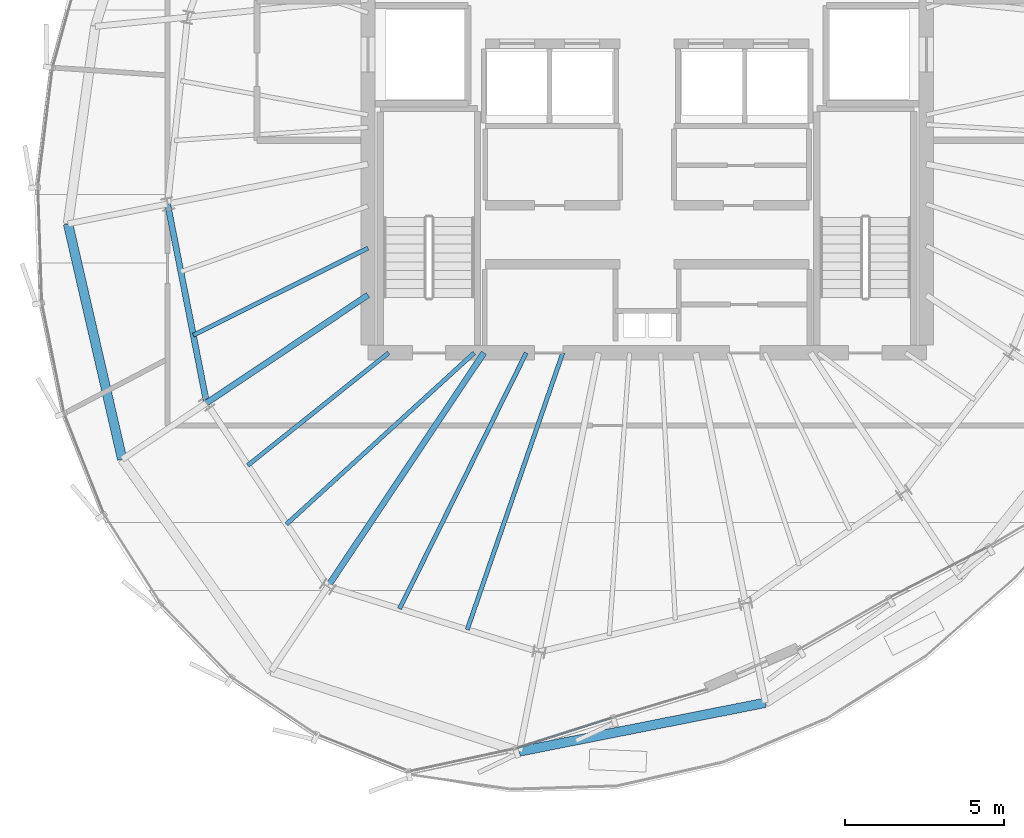
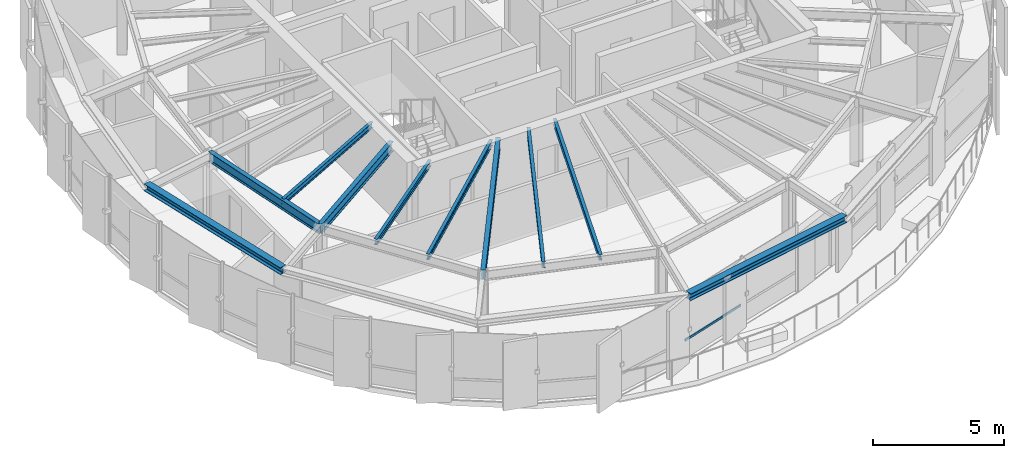
# One storey, part 5 of 31: 10 beams, 1 member, 1 element without a shape of its own.
"""IFC4 building model written with IfcOpenShell, lengths in metres."""

from ifc_helpers import new_model, si_unit, direction, frame, origin, origin_2d, place, context, subcontext, project, spatial, hollow_rectangle, i_section, extrude, source, transform, mapped, material, layer, layer_set, material_profile, profile_set, type_object, element, aggregate, save


model = new_model("IFC4")

# Units and contexts
model_context = context("Model", 3, precision=1e-05, world=origin(), true_north=direction((0.0, 1.0)))
body_context = subcontext(model_context, "Body", "Model", "MODEL_VIEW")
ifc_project = project(units=[si_unit("LENGTHUNIT", "METRE"), si_unit("AREAUNIT", "SQUARE_METRE"), si_unit("VOLUMEUNIT", "CUBIC_METRE"), si_unit("PLANEANGLEUNIT", "RADIAN"), si_unit("MASSUNIT", "GRAM", prefix="KILO"), si_unit("THERMODYNAMICTEMPERATUREUNIT", "KELVIN")], contexts=[model_context])

# Site, building, storey
site_placement = place(None, origin())
site = spatial("IfcSite", under=ifc_project, at=site_placement, CompositionType="ELEMENT")
building_placement = place(site_placement, origin())
building = spatial("IfcBuilding", under=site, at=building_placement, Name="Kethvar Cultural Tower", CompositionType="ELEMENT")
storey_placement = place(building_placement, frame((0.0, 0.0, 283.60009765625)))
storey = spatial("IfcBuildingStorey", under=building, at=storey_placement, Name="L75", CompositionType="ELEMENT", Elevation=283.60009765625)

# Beams
ifc_material_1 = material(Name="Steel S355J2", Category="steel")
ifc_material_profile_1 = material_profile(ifc_material_1, i_section(OverallWidth=0.18994140625, OverallDepth=0.449951171875, WebThickness=0.009521484375, FlangeThickness=0.0146484375, FilletRadius=0.02099609375, at=origin_2d()), Name="Steel S355J2 — IPE450")
ifc_profile_set_1 = profile_set([ifc_material_profile_1], Name="Steel S355J2 — IPE450")
beam_type_1 = type_object("IfcBeamType", Name="BM-IPE450", PredefinedType="BEAM", material=ifc_profile_set_1)
shared_shape_1 = source(origin(), body_context, "Body", "SweptSolid", [
    extrude(i_section(OverallWidth=0.18994140625, OverallDepth=0.449951171875, WebThickness=0.009521484375, FlangeThickness=0.0146484375, FilletRadius=0.02099609375, at=origin_2d()), origin(), (0.0, 0.0, 1.0), 6.118408203125),
])
beam_1_placement = place(storey_placement, frame((38.0, 21.920166015625, 2.98291015625), z_axis=(-0.831466631282, -0.555574694406, 0.0), x_axis=(0.555574694406, -0.831466631282, 0.0)))
element("IfcBeam", 1, at=beam_1_placement, inside=storey, type_object=beam_type_1, Name="L75 Primary Radial Beam RB-10", PredefinedType="BEAM", context=body_context, shape_type="MappedRepresentation", body=[
    mapped(shared_shape_1, transform((0.0, 0.0, 0.0), scale=1.0)),
])
shared_shape_2 = source(origin(), body_context, "Body", "SweptSolid", [
    extrude(i_section(OverallWidth=0.18994140625, OverallDepth=0.449951171875, WebThickness=0.009521484375, FlangeThickness=0.0146484375, FilletRadius=0.02099609375, at=origin_2d()), origin(), (0.0, 0.0, 1.0), 8.86279296875),
])
beam_2_placement = place(storey_placement, frame((41.655029296875, 20.10009765625, 2.98291015625), z_axis=(-0.555564443415, -0.831473480764, 0.0), x_axis=(0.831473480764, -0.555564443415, 0.0)))
element("IfcBeam", 2, at=beam_2_placement, inside=storey, type_object=beam_type_1, Name="L75 Primary Radial Beam RB-11", PredefinedType="BEAM", context=body_context, shape_type="MappedRepresentation", body=[
    mapped(shared_shape_2, transform((0.0, 0.0, 0.0), scale=1.0)),
])
shared_shape_3 = source(origin(), body_context, "Body", "SweptSolid", [
    extrude(i_section(OverallWidth=0.18994140625, OverallDepth=0.449951171875, WebThickness=0.009521484375, FlangeThickness=0.0146484375, FilletRadius=0.02099609375, at=origin_2d()), origin(), (0.0, 0.0, 1.0), 6.391357421875),
])
beam_3_placement = place(storey_placement, frame((31.68310546875, 24.79296875, 2.98291015625), z_axis=(0.192405084368, -0.981315588131, 0.0), x_axis=(0.981315588131, 0.192405084368, 0.0)))
element("IfcBeam", 3, at=beam_3_placement, inside=storey, type_object=beam_type_1, Name="L75 Column Ring Tie Beam CR-09", PredefinedType="BEAM", context=body_context, shape_type="MappedRepresentation", body=[
    mapped(shared_shape_3, transform((0.0, 0.0, 0.0), scale=1.0)),
])
ifc_material_profile_2 = material_profile(ifc_material_1, i_section(OverallWidth=0.300048828125, OverallDepth=0.320068359375, WebThickness=0.011474609375, FlangeThickness=0.0205078125, FilletRadius=0.027099609375, at=origin_2d()), Name="Steel S355J2 — HEB320")
ifc_profile_set_2 = profile_set([ifc_material_profile_2], Name="Steel S355J2 — HEB320")
beam_type_2 = type_object("IfcBeamType", Name="BM-SP320", PredefinedType="SPANDREL", material=ifc_profile_set_2)
shared_shape_4 = source(origin(), body_context, "Body", "SweptSolid", [
    extrude(i_section(OverallWidth=0.300048828125, OverallDepth=0.320068359375, WebThickness=0.011474609375, FlangeThickness=0.0205078125, FilletRadius=0.027099609375, at=origin_2d()), origin(), (0.0, 0.0, 1.0), 7.619384765625),
])
beam_4_placement = place(storey_placement, frame((28.54443359375, 24.168701171875, 3.0478515625), z_axis=(0.224133998424, -0.974558336248, 0.0), x_axis=(0.974558336248, 0.224133998424, 0.0)))
element("IfcBeam", 4, at=beam_4_placement, inside=storey, type_object=beam_type_2, Name="L75 Perimeter Spandrel Beam SP-09", PredefinedType="SPANDREL", context=body_context, shape_type="MappedRepresentation", body=[
    mapped(shared_shape_4, transform((0.0, 0.0, 0.0), scale=1.0)),
])
ifc_material_profile_3 = material_profile(ifc_material_1, i_section(OverallWidth=0.135009765625, OverallDepth=0.27001953125, WebThickness=0.006591796875, FlangeThickness=0.01025390625, FilletRadius=0.014892578125, at=origin_2d()), Name="Steel S355J2 — IPE270")
ifc_profile_set_3 = profile_set([ifc_material_profile_3], Name="Steel S355J2 — IPE270")
beam_type_3 = type_object("IfcBeamType", Name="BM-J270", PredefinedType="JOIST", material=ifc_profile_set_3)
shared_shape_5 = source(origin(), body_context, "Body", "SweptSolid", [
    extrude(i_section(OverallWidth=0.135009765625, OverallDepth=0.27001953125, WebThickness=0.006591796875, FlangeThickness=0.01025390625, FilletRadius=0.014892578125, at=origin_2d()), origin(), (0.0, 0.0, 1.0), 6.154052734375),
])
beam_5_placement = place(storey_placement, frame((38.0, 23.40380859375, 3.072998046875), z_axis=(-0.89458581954, -0.446896197655, 0.0), x_axis=(0.446896197655, -0.89458581954, 0.0)))
element("IfcBeam", 5, at=beam_5_placement, inside=storey, type_object=beam_type_3, Name="L75 Composite Floor Joist J-09B", PredefinedType="JOIST", context=body_context, shape_type="MappedRepresentation", body=[
    mapped(shared_shape_5, transform((0.0, 0.0, 0.0), scale=1.0)),
])
shared_shape_6 = source(origin(), body_context, "Body", "SweptSolid", [
    extrude(i_section(OverallWidth=0.135009765625, OverallDepth=0.27001953125, WebThickness=0.006591796875, FlangeThickness=0.01025390625, FilletRadius=0.014892578125, at=origin_2d()), origin(), (0.0, 0.0, 1.0), 5.68212890625),
])
beam_6_placement = place(storey_placement, frame((38.64990234375, 20.10009765625, 3.072998046875), z_axis=(-0.781157957733, -0.624333440615, 0.0), x_axis=(0.624333440615, -0.781157957733, 0.0)))
element("IfcBeam", 6, at=beam_6_placement, inside=storey, type_object=beam_type_3, Name="L75 Composite Floor Joist J-10A", PredefinedType="JOIST", context=body_context, shape_type="MappedRepresentation", body=[
    mapped(shared_shape_6, transform((0.0, 0.0, 0.0), scale=1.0)),
])
shared_shape_7 = source(origin(), body_context, "Body", "SweptSolid", [
    extrude(i_section(OverallWidth=0.135009765625, OverallDepth=0.27001953125, WebThickness=0.006591796875, FlangeThickness=0.01025390625, FilletRadius=0.014892578125, at=origin_2d()), origin(), (0.0, 0.0, 1.0), 8.010986328125),
])
beam_7_placement = place(storey_placement, frame((41.35009765625, 20.10009765625, 3.072998046875), z_axis=(-0.738614798856, -0.674127717061, 0.0), x_axis=(0.674127717061, -0.738614798856, 0.0)))
element("IfcBeam", 7, at=beam_7_placement, inside=storey, type_object=beam_type_3, Name="L75 Composite Floor Joist J-10B", PredefinedType="JOIST", context=body_context, shape_type="MappedRepresentation", body=[
    mapped(shared_shape_7, transform((0.0, 0.0, 0.0), scale=1.0)),
])
shared_shape_8 = source(origin(), body_context, "Body", "SweptSolid", [
    extrude(i_section(OverallWidth=0.135009765625, OverallDepth=0.27001953125, WebThickness=0.006591796875, FlangeThickness=0.01025390625, FilletRadius=0.014892578125, at=origin_2d()), origin(), (0.0, 0.0, 1.0), 9.00341796875),
])
beam_8_placement = place(storey_placement, frame((42.989501953125, 20.10009765625, 3.072998046875), z_axis=(-0.443543695319, -0.896252749141, 0.0), x_axis=(0.896252749141, -0.443543695319, 0.0)))
element("IfcBeam", 8, at=beam_8_placement, inside=storey, type_object=beam_type_3, Name="L75 Composite Floor Joist J-11A", PredefinedType="JOIST", context=body_context, shape_type="MappedRepresentation", body=[
    mapped(shared_shape_8, transform((0.0, 0.0, 0.0), scale=1.0)),
])
shared_shape_9 = source(origin(), body_context, "Body", "SweptSolid", [
    extrude(i_section(OverallWidth=0.135009765625, OverallDepth=0.27001953125, WebThickness=0.006591796875, FlangeThickness=0.01025390625, FilletRadius=0.014892578125, at=origin_2d()), origin(), (0.0, 0.0, 1.0), 9.234130859375),
])
beam_9_placement = place(storey_placement, frame((44.1416015625, 20.10009765625, 3.072998046875), z_axis=(-0.326362208058, -0.945244787953, 0.0), x_axis=(0.945244787953, -0.326362208058, 0.0)))
element("IfcBeam", 9, at=beam_9_placement, inside=storey, type_object=beam_type_3, Name="L75 Composite Floor Joist J-11B", PredefinedType="JOIST", context=body_context, shape_type="MappedRepresentation", body=[
    mapped(shared_shape_9, transform((0.0, 0.0, 0.0), scale=1.0)),
])
shared_shape_10 = source(origin(), body_context, "Body", "SweptSolid", [
    extrude(i_section(OverallWidth=0.300048828125, OverallDepth=0.320068359375, WebThickness=0.011474609375, FlangeThickness=0.0205078125, FilletRadius=0.027099609375, at=origin_2d()), origin(), (0.0, 0.0, 1.0), 7.907958984375),
])
beam_10_placement = place(storey_placement, frame((42.7685546875, 7.53271484375, 3.0478515625), z_axis=(0.980963515828, 0.194192122948, 0.0), x_axis=(-0.194192122948, 0.980963515828, 0.0)))
element("IfcBeam", 10, at=beam_10_placement, inside=storey, type_object=beam_type_2, Name="L75 Perimeter Spandrel Beam SP-12", PredefinedType="SPANDREL", context=body_context, shape_type="MappedRepresentation", body=[
    mapped(shared_shape_10, transform((0.0, 0.0, 0.0), scale=1.0)),
])

# Curtain wall, member
ifc_material_2 = material(Name="Aluminium 6063-T6", Category="aluminium")
ifc_layer = layer(ifc_material_2, 0.179931640625, Name="Aluminium 6063-T6", Category="aluminium")
ifc_layer_set = layer_set([ifc_layer], Name="Aluminium 6063-T6 (180 mm)")
curtain_wall_type = type_object("IfcCurtainWallType", Name="CW-SYS-05-Z56", PredefinedType="NOTDEFINED", material=ifc_layer_set)
curtain_wall_placement = place(storey_placement, origin())
curtain_wall = element("IfcCurtainWall", 11, at=curtain_wall_placement, inside=storey, type_object=curtain_wall_type, Name="L75 Curtain Wall Run 04", PredefinedType="NOTDEFINED")
ifc_material_profile_4 = material_profile(ifc_material_2, hollow_rectangle(XDim=0.050048828125, YDim=0.10009765625, WallThickness=0.00390625, at=origin_2d()), Name="Aluminium 6063-T6 — RHS100x50x4")
ifc_profile_set_4 = profile_set([ifc_material_profile_4], Name="Aluminium 6063-T6 — RHS100x50x4")
member_type = type_object("IfcMemberType", Name="CW-SYS-05-Z56-TRN", PredefinedType="USERDEFINED", material=ifc_profile_set_4)
shared_shape_11 = source(origin(), body_context, "Body", "SweptSolid", [
    extrude(hollow_rectangle(XDim=0.050048828125, YDim=0.10009765625, WallThickness=0.00390625, at=origin_2d()), origin(), (0.0, 0.0, 1.0), 3.154052734375),
])
member_placement = place(storey_placement, frame((42.683837890625, 7.6357421875, 0.949951171875), z_axis=(0.952832211982, 0.303497571339, 0.0), x_axis=(-0.303497571339, 0.952832211982, 0.0)))
member = element("IfcMember", 12, at=member_placement, type_object=member_type, Name="CW-L75-R04 Transom 3", ObjectType="TRANSOM", PredefinedType="USERDEFINED", context=body_context, shape_type="MappedRepresentation", body=[
    mapped(shared_shape_11, transform((0.0, 0.0, 0.0), scale=1.0)),
])
aggregate(curtain_wall, [member])

save(model, "model.ifc")
